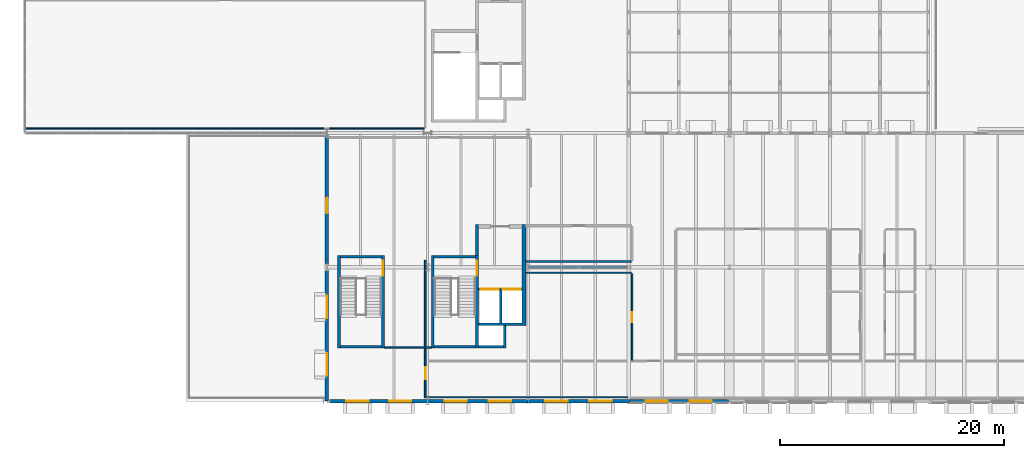
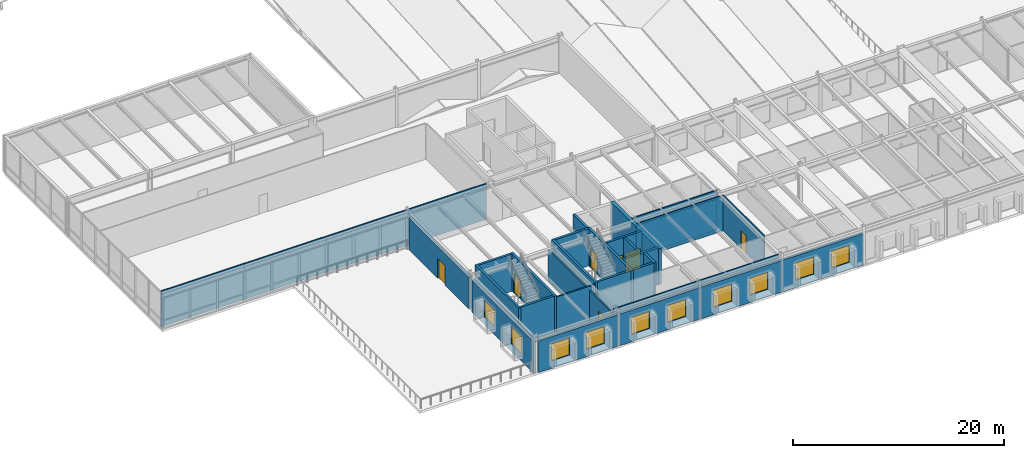
# One storey, part 130 of 142: 30 walls, 10 windows, 7 doors, 17 openings.
"""IFC4 building model written with IfcOpenShell, lengths in metres."""

from ifc_helpers import new_model, si_unit, direction, frame, frame_2d, origin, place, context, subcontext, project, spatial, rectangle, extrude, material, layer, layer_set, type_object, element, fill, save


model = new_model("IFC4")

# Units and contexts
model_context = context("Model", 3, precision=1e-05, world=origin(), true_north=direction((0.0, 1.0)))
body_context = subcontext(model_context, "Body", "Model", "MODEL_VIEW")
ifc_project = project(units=[si_unit("LENGTHUNIT", "METRE"), si_unit("AREAUNIT", "SQUARE_METRE"), si_unit("VOLUMEUNIT", "CUBIC_METRE"), si_unit("PLANEANGLEUNIT", "RADIAN"), si_unit("MASSUNIT", "GRAM", prefix="KILO")], contexts=[model_context])

# Site, building, storey
site_placement = place(None, origin())
site = spatial("IfcSite", under=ifc_project, at=site_placement, CompositionType="ELEMENT")
building_placement = place(site_placement, origin())
building = spatial("IfcBuilding", under=site, at=building_placement, Name="Montelvaro Courts of Justice", CompositionType="ELEMENT")
storey_placement = place(building_placement, frame((0.0, 0.0, 14.39990234375)))
storey = spatial("IfcBuildingStorey", under=building, at=storey_placement, Name="L03", CompositionType="ELEMENT", Elevation=14.39990234375)

# Wall
ifc_material_1 = material(Name="Gypsum board on metal stud")
ifc_layer_1 = layer(ifc_material_1, 0.14990234375)
ifc_layer_set_1 = layer_set([ifc_layer_1], Name="Gypsum board on metal stud")
wall_type_1 = type_object("IfcWallType", Name="ChambersPartition_150", PredefinedType="PARTITIONING", material=ifc_layer_set_1)
wall_1_placement = place(storey_placement, frame((50.113037109375, 4.800048828125, 0.0), z_axis=(0.0, 0.0, 1.0), x_axis=(1.0, 0.0, 0.0)))
element("IfcWall", 1, at=wall_1_placement, inside=storey, type_object=wall_type_1, Name="Interior Partition IW-04 (L03)", PredefinedType="PARTITIONING", context=body_context, shape_type="SweptSolid", body=[
    extrude(rectangle(XDim=4.251953125, YDim=0.14990234375, at=frame_2d((2.1259765625, 0.0))), origin(), (0.0, 0.0, 1.0), 4.14013671875),
])

# Wall, opening, door
wall_2_placement = place(storey_placement, frame((53.800048828125, 4.72998046875, 0.0), z_axis=(0.0, 0.0, 1.0), x_axis=(0.0, -1.0, 0.0)))
wall_2 = element("IfcWall", 2, at=wall_2_placement, inside=storey, type_object=wall_type_1, Name="Interior Partition IW-04 (L03)", PredefinedType="PARTITIONING", context=body_context, shape_type="SweptSolid", body=[
    extrude(rectangle(XDim=4.421875, YDim=0.14990234375, at=frame_2d((2.2109375, 0.0))), origin(), (0.0, 0.0, 1.0), 3.625),
])
opening_1_placement = place(wall_2_placement, frame((1.68603515625, 0.0, 0.0)))
opening_1 = element("IfcOpeningElement", 3, at=opening_1_placement, cuts=wall_2, Name="Opening D-L03-107", PredefinedType="OPENING", context=body_context, shape_type="SweptSolid", body=[
    extrude(rectangle(XDim=1.050048828125, YDim=2.25, at=frame_2d((0.52490234375, 1.125))), frame((0.0, 0.08984375, 0.0), z_axis=(0.0, -1.0, 0.0), x_axis=(1.0, 0.0, 0.0)), (0.0, 0.0, 1.0), 0.1796875),
])
ifc_material_2 = material(Name="Acoustic oak timber veneer", Category="wood")
door_type_1 = type_object("IfcDoorType", Name="ChamberDoor_105x225", OperationType="NOTDEFINED", PredefinedType="DOOR", material=ifc_material_2)
door_1_placement = place(opening_1_placement, frame((1.050048828125, 0.0, 0.0), z_axis=(0.0, 0.0, 1.0), x_axis=(-1.0, 0.0, 0.0)))
door_1 = element("IfcDoor", 4, at=door_1_placement, inside=storey, type_object=door_type_1, Name="Interior Door D-L03-107 (West Terrace Judicial Foyer L03)", OperationType="SINGLE_SWING_RIGHT", OverallHeight=2.25, OverallWidth=1.050048828125, PredefinedType="DOOR", context=body_context, shape_type="SweptSolid", body=[
    extrude(rectangle(XDim=1.050048828125, YDim=2.25, at=frame_2d((0.52490234375, 1.125))), frame((0.0, 0.02490234375, 0.0), z_axis=(0.0, -1.0, 0.0), x_axis=(1.0, 0.0, 0.0)), (0.0, 0.0, 1.0), 0.050048828125),
])
fill(opening_1, door_1)

# Walls
wall_3_placement = place(storey_placement, frame((53.800048828125, 12.6201171875, 0.0), z_axis=(0.0, 0.0, 1.0), x_axis=(0.0, -1.0, 0.0)))
element("IfcWall", 5, at=wall_3_placement, inside=storey, type_object=wall_type_1, Name="Interior Partition IW-04 (L03)", PredefinedType="PARTITIONING", context=body_context, shape_type="SweptSolid", body=[
    extrude(rectangle(XDim=7.75, YDim=0.14990234375, at=frame_2d((3.875, 0.0))), origin(), (0.0, 0.0, 1.0), 3.625),
])
wall_4_placement = place(storey_placement, frame((72.219970703125, 12.5, 0.0), z_axis=(0.0, 0.0, 1.0), x_axis=(-1.0, 0.0, 0.0)))
element("IfcWall", 6, at=wall_4_placement, inside=storey, type_object=wall_type_1, Name="Interior Partition IW-04 (L03)", PredefinedType="PARTITIONING", context=body_context, shape_type="SweptSolid", body=[
    extrude(rectangle(XDim=9.425048828125, YDim=0.14990234375, at=frame_2d((4.71240234375, 0.0))), origin(), (0.0, 0.0, 1.0), 4.14013671875),
])
ifc_material_3 = material(Name="Concrete C40/50", Category="concrete")
ifc_layer_2 = layer(ifc_material_3, 0.360107421875)
ifc_layer_set_2 = layer_set([ifc_layer_2], Name="Concrete C40/50")
wall_type_2 = type_object("IfcWallType", Name="CoreWall_360", PredefinedType="SHEAR", material=ifc_layer_set_2)
wall_5_placement = place(storey_placement, frame((62.6201171875, 6.760009765625, 0.0), z_axis=(0.0, 0.0, 1.0), x_axis=(0.0, 1.0, 0.0)))
element("IfcWall", 7, at=wall_5_placement, inside=storey, type_object=wall_type_2, Name="Core Shear Wall CW-01 K1-E (L03)", PredefinedType="SHEAR", context=body_context, shape_type="SweptSolid", body=[
    extrude(rectangle(XDim=9.0400390625, YDim=0.360107421875, at=frame_2d((4.52001953125, 0.0))), origin(), (0.0, 0.0, 1.0), 4.16015625),
])

# Wall, openings, windows
ifc_material_4 = material(Name="White mineral precast concrete C45/55", Category="concrete")
ifc_layer_3 = layer(ifc_material_4, 0.300048828125)
ifc_layer_set_3 = layer_set([ifc_layer_3], Name="White mineral precast concrete C45/55")
wall_type_3 = type_object("IfcWallType", Name="ExtWall_GFRC_300", PredefinedType="SOLIDWALL", material=ifc_layer_set_3)
wall_6_placement = place(storey_placement, frame((45.30810546875, 0.0, 0.0), z_axis=(0.0, 0.0, 1.0), x_axis=(1.0, 0.0, 0.0)))
wall_6 = element("IfcWall", 8, at=wall_6_placement, inside=storey, type_object=wall_type_3, Name="Exterior Facade Wall EW-02 (L03)", PredefinedType="SOLIDWALL", context=body_context, shape_type="SweptSolid", body=[
    extrude(rectangle(XDim=8.683837890625, YDim=0.300048828125, at=frame_2d((4.341796875, 0.0))), origin(), (0.0, 0.0, 1.0), 3.675048828125),
])
opening_2_placement = place(wall_6_placement, frame((1.431884765625, 0.0, 0.85009765625)))
opening_2 = element("IfcOpeningElement", 9, at=opening_2_placement, cuts=wall_6, Name="Opening WE-11", PredefinedType="OPENING", context=body_context, shape_type="SweptSolid", body=[
    extrude(rectangle(XDim=2.0, YDim=2.0, at=frame_2d((1.0, 1.0))), frame((0.0, 0.1650390625, 0.0), z_axis=(0.0, -1.0, 0.0), x_axis=(1.0, 0.0, 0.0)), (0.0, 0.0, 1.0), 0.329833984375),
])
opening_3_placement = place(wall_6_placement, frame((5.251953125, 0.0, 0.85009765625)))
opening_3 = element("IfcOpeningElement", 10, at=opening_3_placement, cuts=wall_6, Name="Opening WE-11", PredefinedType="OPENING", context=body_context, shape_type="SweptSolid", body=[
    extrude(rectangle(XDim=2.0, YDim=2.0, at=frame_2d((1.0, 1.0))), frame((0.0, 0.1650390625, 0.0), z_axis=(0.0, -1.0, 0.0), x_axis=(1.0, 0.0, 0.0)), (0.0, 0.0, 1.0), 0.329833984375),
])
ifc_material_5 = material(Name="Low-E solar control double glazing", Category="glass")
window_type = type_object("IfcWindowType", Name="Win_Sq_200x200", PartitioningType="SINGLE_PANEL", PredefinedType="WINDOW", material=ifc_material_5)
window_1_placement = place(opening_2_placement, origin())
window_1 = element("IfcWindow", 11, at=window_1_placement, inside=storey, type_object=window_type, Name="Window W-L03-149", OverallHeight=2.0, OverallWidth=2.0, PartitioningType="SINGLE_PANEL", PredefinedType="WINDOW", context=body_context, shape_type="SweptSolid", body=[
    extrude(rectangle(XDim=2.0, YDim=2.0, at=frame_2d((1.0, 1.0))), frame((0.0, 0.030029296875, 0.0), z_axis=(0.0, -1.0, 0.0), x_axis=(1.0, 0.0, 0.0)), (0.0, 0.0, 1.0), 0.06005859375),
])
fill(opening_2, window_1)
window_2_placement = place(opening_3_placement, origin())
window_2 = element("IfcWindow", 12, at=window_2_placement, inside=storey, type_object=window_type, Name="Window W-L03-150", OverallHeight=2.0, OverallWidth=2.0, PartitioningType="SINGLE_PANEL", PredefinedType="WINDOW", context=body_context, shape_type="SweptSolid", body=[
    extrude(rectangle(XDim=2.0, YDim=2.0, at=frame_2d((1.0, 1.0))), frame((0.0, 0.030029296875, 0.0), z_axis=(0.0, -1.0, 0.0), x_axis=(1.0, 0.0, 0.0)), (0.0, 0.0, 1.0), 0.06005859375),
])
fill(opening_3, window_2)

wall_7_placement = place(storey_placement, frame((54.008056640625, 0.0, 0.0), z_axis=(0.0, 0.0, 1.0), x_axis=(1.0, 0.0, 0.0)))
wall_7 = element("IfcWall", 13, at=wall_7_placement, inside=storey, type_object=wall_type_3, Name="Exterior Facade Wall EW-02 (L03)", PredefinedType="SOLIDWALL", context=body_context, shape_type="SweptSolid", body=[
    extrude(rectangle(XDim=8.98388671875, YDim=0.300048828125, at=frame_2d((4.491943359375, 0.0))), origin(), (0.0, 0.0, 1.0), 3.675048828125),
])
opening_4_placement = place(wall_7_placement, frame((1.51611328125, 0.0, 0.85009765625)))
opening_4 = element("IfcOpeningElement", 14, at=opening_4_placement, cuts=wall_7, Name="Opening WE-11", PredefinedType="OPENING", context=body_context, shape_type="SweptSolid", body=[
    extrude(rectangle(XDim=2.0, YDim=2.0, at=frame_2d((1.0, 1.0))), frame((0.0, 0.1650390625, 0.0), z_axis=(0.0, -1.0, 0.0), x_axis=(1.0, 0.0, 0.0)), (0.0, 0.0, 1.0), 0.329833984375),
])
opening_5_placement = place(wall_7_placement, frame((5.468017578125, 0.0, 0.85009765625)))
opening_5 = element("IfcOpeningElement", 15, at=opening_5_placement, cuts=wall_7, Name="Opening WE-11", PredefinedType="OPENING", context=body_context, shape_type="SweptSolid", body=[
    extrude(rectangle(XDim=2.0, YDim=2.0, at=frame_2d((1.0, 1.0))), frame((0.0, 0.1650390625, 0.0), z_axis=(0.0, -1.0, 0.0), x_axis=(1.0, 0.0, 0.0)), (0.0, 0.0, 1.0), 0.329833984375),
])
window_3_placement = place(opening_4_placement, origin())
window_3 = element("IfcWindow", 16, at=window_3_placement, inside=storey, type_object=window_type, Name="Window W-L03-151", OverallHeight=2.0, OverallWidth=2.0, PartitioningType="SINGLE_PANEL", PredefinedType="WINDOW", context=body_context, shape_type="SweptSolid", body=[
    extrude(rectangle(XDim=2.0, YDim=2.0, at=frame_2d((1.0, 1.0))), frame((0.0, 0.030029296875, 0.0), z_axis=(0.0, -1.0, 0.0), x_axis=(1.0, 0.0, 0.0)), (0.0, 0.0, 1.0), 0.06005859375),
])
fill(opening_4, window_3)
window_4_placement = place(opening_5_placement, origin())
window_4 = element("IfcWindow", 17, at=window_4_placement, inside=storey, type_object=window_type, Name="Window W-L03-152", OverallHeight=2.0, OverallWidth=2.0, PartitioningType="SINGLE_PANEL", PredefinedType="WINDOW", context=body_context, shape_type="SweptSolid", body=[
    extrude(rectangle(XDim=2.0, YDim=2.0, at=frame_2d((1.0, 1.0))), frame((0.0, 0.030029296875, 0.0), z_axis=(0.0, -1.0, 0.0), x_axis=(1.0, 0.0, 0.0)), (0.0, 0.0, 1.0), 0.06005859375),
])
fill(opening_5, window_4)

wall_8_placement = place(storey_placement, frame((63.008056640625, 0.0, 0.0), z_axis=(0.0, 0.0, 1.0), x_axis=(1.0, 0.0, 0.0)))
wall_8 = element("IfcWall", 18, at=wall_8_placement, inside=storey, type_object=wall_type_3, Name="Exterior Facade Wall EW-02 (L03)", PredefinedType="SOLIDWALL", context=body_context, shape_type="SweptSolid", body=[
    extrude(rectangle(XDim=8.98388671875, YDim=0.300048828125, at=frame_2d((4.491943359375, 0.0))), origin(), (0.0, 0.0, 1.0), 3.675048828125),
])
opening_6_placement = place(wall_8_placement, frame((1.51611328125, 0.0, 0.85009765625)))
opening_6 = element("IfcOpeningElement", 19, at=opening_6_placement, cuts=wall_8, Name="Opening WE-11", PredefinedType="OPENING", context=body_context, shape_type="SweptSolid", body=[
    extrude(rectangle(XDim=2.0, YDim=2.0, at=frame_2d((1.0, 1.0))), frame((0.0, 0.1650390625, 0.0), z_axis=(0.0, -1.0, 0.0), x_axis=(1.0, 0.0, 0.0)), (0.0, 0.0, 1.0), 0.329833984375),
])
opening_7_placement = place(wall_8_placement, frame((5.468017578125, 0.0, 0.85009765625)))
opening_7 = element("IfcOpeningElement", 20, at=opening_7_placement, cuts=wall_8, Name="Opening WE-11", PredefinedType="OPENING", context=body_context, shape_type="SweptSolid", body=[
    extrude(rectangle(XDim=2.0, YDim=2.0, at=frame_2d((1.0, 1.0))), frame((0.0, 0.1650390625, 0.0), z_axis=(0.0, -1.0, 0.0), x_axis=(1.0, 0.0, 0.0)), (0.0, 0.0, 1.0), 0.329833984375),
])
window_5_placement = place(opening_6_placement, origin())
window_5 = element("IfcWindow", 21, at=window_5_placement, inside=storey, type_object=window_type, Name="Window W-L03-153", OverallHeight=2.0, OverallWidth=2.0, PartitioningType="SINGLE_PANEL", PredefinedType="WINDOW", context=body_context, shape_type="SweptSolid", body=[
    extrude(rectangle(XDim=2.0, YDim=2.0, at=frame_2d((1.0, 1.0))), frame((0.0, 0.030029296875, 0.0), z_axis=(0.0, -1.0, 0.0), x_axis=(1.0, 0.0, 0.0)), (0.0, 0.0, 1.0), 0.06005859375),
])
fill(opening_6, window_5)
window_6_placement = place(opening_7_placement, origin())
window_6 = element("IfcWindow", 22, at=window_6_placement, inside=storey, type_object=window_type, Name="Window W-L03-154", OverallHeight=2.0, OverallWidth=2.0, PartitioningType="SINGLE_PANEL", PredefinedType="WINDOW", context=body_context, shape_type="SweptSolid", body=[
    extrude(rectangle(XDim=2.0, YDim=2.0, at=frame_2d((1.0, 1.0))), frame((0.0, 0.030029296875, 0.0), z_axis=(0.0, -1.0, 0.0), x_axis=(1.0, 0.0, 0.0)), (0.0, 0.0, 1.0), 0.06005859375),
])
fill(opening_7, window_6)

wall_9_placement = place(storey_placement, frame((72.008056640625, 0.0, 0.0), z_axis=(0.0, 0.0, 1.0), x_axis=(1.0, 0.0, 0.0)))
wall_9 = element("IfcWall", 23, at=wall_9_placement, inside=storey, type_object=wall_type_3, Name="Exterior Facade Wall EW-02 (L03)", PredefinedType="SOLIDWALL", context=body_context, shape_type="SweptSolid", body=[
    extrude(rectangle(XDim=8.933837890625, YDim=0.300048828125, at=frame_2d((4.466796875, 0.0))), origin(), (0.0, 0.0, 1.0), 3.675048828125),
])
opening_8_placement = place(wall_9_placement, frame((1.501953125, 0.0, 0.85009765625)))
opening_8 = element("IfcOpeningElement", 24, at=opening_8_placement, cuts=wall_9, Name="Opening WE-11", PredefinedType="OPENING", context=body_context, shape_type="SweptSolid", body=[
    extrude(rectangle(XDim=2.0, YDim=2.0, at=frame_2d((1.0, 1.0))), frame((0.0, 0.1650390625, 0.0), z_axis=(0.0, -1.0, 0.0), x_axis=(1.0, 0.0, 0.0)), (0.0, 0.0, 1.0), 0.329833984375),
])
opening_9_placement = place(wall_9_placement, frame((5.431884765625, 0.0, 0.85009765625)))
opening_9 = element("IfcOpeningElement", 25, at=opening_9_placement, cuts=wall_9, Name="Opening WE-11", PredefinedType="OPENING", context=body_context, shape_type="SweptSolid", body=[
    extrude(rectangle(XDim=2.0, YDim=2.0, at=frame_2d((1.0, 1.0))), frame((0.0, 0.1650390625, 0.0), z_axis=(0.0, -1.0, 0.0), x_axis=(1.0, 0.0, 0.0)), (0.0, 0.0, 1.0), 0.329833984375),
])
window_7_placement = place(opening_8_placement, origin())
window_7 = element("IfcWindow", 26, at=window_7_placement, inside=storey, type_object=window_type, Name="Window W-L03-155", OverallHeight=2.0, OverallWidth=2.0, PartitioningType="SINGLE_PANEL", PredefinedType="WINDOW", context=body_context, shape_type="SweptSolid", body=[
    extrude(rectangle(XDim=2.0, YDim=2.0, at=frame_2d((1.0, 1.0))), frame((0.0, 0.030029296875, 0.0), z_axis=(0.0, -1.0, 0.0), x_axis=(1.0, 0.0, 0.0)), (0.0, 0.0, 1.0), 0.06005859375),
])
fill(opening_8, window_7)
window_8_placement = place(opening_9_placement, origin())
window_8 = element("IfcWindow", 27, at=window_8_placement, inside=storey, type_object=window_type, Name="Window W-L03-156", OverallHeight=2.0, OverallWidth=2.0, PartitioningType="SINGLE_PANEL", PredefinedType="WINDOW", context=body_context, shape_type="SweptSolid", body=[
    extrude(rectangle(XDim=2.0, YDim=2.0, at=frame_2d((1.0, 1.0))), frame((0.0, 0.030029296875, 0.0), z_axis=(0.0, -1.0, 0.0), x_axis=(1.0, 0.0, 0.0)), (0.0, 0.0, 1.0), 0.06005859375),
])
fill(opening_9, window_8)

# Wall, opening, door
wall_10_placement = place(storey_placement, frame((45.0, 23.64404296875, 0.0), z_axis=(0.0, 0.0, 1.0), x_axis=(0.0, -1.0, 0.0)))
wall_10 = element("IfcWall", 28, at=wall_10_placement, inside=storey, type_object=wall_type_3, Name="Exterior Facade Wall EW-02 (L03)", PredefinedType="SOLIDWALL", context=body_context, shape_type="SweptSolid", body=[
    extrude(rectangle(XDim=11.3359375, YDim=0.300048828125, at=frame_2d((5.66796875, 0.0))), origin(), (0.0, 0.0, 1.0), 3.68505859375),
])
opening_10_placement = place(wall_10_placement, frame((5.444091796875, 0.0, 0.0)))
opening_10 = element("IfcOpeningElement", 29, at=opening_10_placement, cuts=wall_10, Name="Opening DT-L03-01", PredefinedType="OPENING", context=body_context, shape_type="SweptSolid", body=[
    extrude(rectangle(XDim=1.39990234375, YDim=2.300048828125, at=frame_2d((0.699951171875, 1.14990234375))), frame((0.0, 0.1650390625, 0.0), z_axis=(0.0, -1.0, 0.0), x_axis=(1.0, 0.0, 0.0)), (0.0, 0.0, 1.0), 0.329833984375),
])
ifc_material_6 = material(Name="Anodised aluminium and laminated safety glass", Category="aluminium")
door_type_2 = type_object("IfcDoorType", Name="ExtDoor_Ter_140x230", OperationType="DOUBLE_DOOR_SINGLE_SWING", PredefinedType="DOOR", material=ifc_material_6)
door_2_placement = place(opening_10_placement, frame((1.39990234375, 0.0, 0.0), z_axis=(0.0, 0.0, 1.0), x_axis=(-1.0, 0.0, 0.0)))
door_2 = element("IfcDoor", 30, at=door_2_placement, inside=storey, type_object=door_type_2, Name="Terrace Access Door DT-L03-01", OperationType="DOUBLE_DOOR_SINGLE_SWING", OverallHeight=2.300048828125, OverallWidth=1.39990234375, PredefinedType="DOOR", context=body_context, shape_type="SweptSolid", body=[
    extrude(rectangle(XDim=1.39990234375, YDim=2.300048828125, at=frame_2d((0.699951171875, 1.14990234375))), frame((0.0, 0.02490234375, 0.0), z_axis=(0.0, -1.0, 0.0), x_axis=(1.0, 0.0, 0.0)), (0.0, 0.0, 1.0), 0.050048828125),
])
fill(opening_10, door_2)

# Wall, openings, windows
wall_11_placement = place(storey_placement, frame((45.0, 11.69189453125, 0.0), z_axis=(0.0, 0.0, 1.0), x_axis=(0.0, -1.0, 0.0)))
wall_11 = element("IfcWall", 31, at=wall_11_placement, inside=storey, type_object=wall_type_3, Name="Exterior Facade Wall EW-02 (L03)", PredefinedType="SOLIDWALL", context=body_context, shape_type="SweptSolid", body=[
    extrude(rectangle(XDim=11.683837890625, YDim=0.300048828125, at=frame_2d((5.841796875, 0.0))), origin(), (0.0, 0.0, 1.0), 3.68505859375),
])
opening_11_placement = place(wall_11_placement, frame((2.27197265625, 0.0, 0.85009765625)))
opening_11 = element("IfcOpeningElement", 32, at=opening_11_placement, cuts=wall_11, Name="Opening WE-11", PredefinedType="OPENING", context=body_context, shape_type="SweptSolid", body=[
    extrude(rectangle(XDim=2.0, YDim=2.0, at=frame_2d((1.0, 1.0))), frame((0.0, 0.1650390625, 0.0), z_axis=(0.0, -1.0, 0.0), x_axis=(1.0, 0.0, 0.0)), (0.0, 0.0, 1.0), 0.329833984375),
])
opening_12_placement = place(wall_11_placement, frame((7.412109375, 0.0, 0.85009765625)))
opening_12 = element("IfcOpeningElement", 33, at=opening_12_placement, cuts=wall_11, Name="Opening WE-11", PredefinedType="OPENING", context=body_context, shape_type="SweptSolid", body=[
    extrude(rectangle(XDim=2.0, YDim=2.0, at=frame_2d((1.0, 1.0))), frame((0.0, 0.1650390625, 0.0), z_axis=(0.0, -1.0, 0.0), x_axis=(1.0, 0.0, 0.0)), (0.0, 0.0, 1.0), 0.329833984375),
])
window_9_placement = place(opening_11_placement, origin())
window_9 = element("IfcWindow", 34, at=window_9_placement, inside=storey, type_object=window_type, Name="Window W-L03-159", OverallHeight=2.0, OverallWidth=2.0, PartitioningType="SINGLE_PANEL", PredefinedType="WINDOW", context=body_context, shape_type="SweptSolid", body=[
    extrude(rectangle(XDim=2.0, YDim=2.0, at=frame_2d((1.0, 1.0))), frame((0.0, 0.030029296875, 0.0), z_axis=(0.0, -1.0, 0.0), x_axis=(1.0, 0.0, 0.0)), (0.0, 0.0, 1.0), 0.06005859375),
])
fill(opening_11, window_9)
window_10_placement = place(opening_12_placement, origin())
window_10 = element("IfcWindow", 35, at=window_10_placement, inside=storey, type_object=window_type, Name="Window W-L03-160", OverallHeight=2.0, OverallWidth=2.0, PartitioningType="SINGLE_PANEL", PredefinedType="WINDOW", context=body_context, shape_type="SweptSolid", body=[
    extrude(rectangle(XDim=2.0, YDim=2.0, at=frame_2d((1.0, 1.0))), frame((0.0, 0.030029296875, 0.0), z_axis=(0.0, -1.0, 0.0), x_axis=(1.0, 0.0, 0.0)), (0.0, 0.0, 1.0), 0.06005859375),
])
fill(opening_12, window_10)

# Walls
ifc_layer_4 = layer(ifc_material_1, 0.1201171875)
ifc_layer_set_4 = layer_set([ifc_layer_4], Name="Gypsum board on metal stud")
wall_type_4 = type_object("IfcWallType", Name="OfficePartition_120", PredefinedType="PARTITIONING", material=ifc_layer_set_4)
wall_12_placement = place(storey_placement, frame((71.919921875, 0.360107421875, 0.0), z_axis=(0.0, 0.0, 1.0), x_axis=(-1.0, 0.0, 0.0)))
element("IfcWall", 36, at=wall_12_placement, inside=storey, type_object=wall_type_4, Name="Interior Partition IW-05 (L03)", PredefinedType="PARTITIONING", context=body_context, shape_type="SweptSolid", body=[
    extrude(rectangle(XDim=18.11181640625, YDim=0.1201171875, at=frame_2d((9.055908203125, 0.0))), origin(), (0.0, 0.0, 1.0), 4.14013671875),
])
wall_13_placement = place(storey_placement, frame((53.719970703125, 24.39990234375, 0.0), z_axis=(0.0, 0.0, 1.0), x_axis=(-1.0, 0.0, 0.0)))
element("IfcWall", 37, at=wall_13_placement, inside=storey, type_object=wall_type_4, Name="Interior Partition IW-05 (L03)", PredefinedType="PARTITIONING", context=body_context, shape_type="SweptSolid", body=[
    extrude(rectangle(XDim=35.64501953125, YDim=0.1201171875, at=frame_2d((17.822509765625, 0.0))), origin(), (0.0, 0.0, 1.0), 4.14013671875),
])
wall_14_placement = place(storey_placement, frame((62.794921875, 11.5, 0.0), z_axis=(0.0, 0.0, 1.0), x_axis=(1.0, 0.0, 0.0)))
element("IfcWall", 38, at=wall_14_placement, inside=storey, type_object=wall_type_4, Name="Interior Partition IW-05 (L03)", PredefinedType="PARTITIONING", context=body_context, shape_type="SweptSolid", body=[
    extrude(rectangle(XDim=9.425048828125, YDim=0.1201171875, at=frame_2d((4.71240234375, 0.0))), origin(), (0.0, 0.0, 1.0), 4.14013671875),
])

# Wall, opening, door
wall_15_placement = place(storey_placement, frame((72.300048828125, 11.419921875, 0.0), z_axis=(0.0, 0.0, 1.0), x_axis=(0.0, -1.0, 0.0)))
wall_15 = element("IfcWall", 39, at=wall_15_placement, inside=storey, type_object=wall_type_4, Name="Interior Partition IW-05 (L03)", PredefinedType="PARTITIONING", context=body_context, shape_type="SweptSolid", body=[
    extrude(rectangle(XDim=7.764892578125, YDim=0.1201171875, at=frame_2d((3.88232421875, 0.0))), origin(), (0.0, 0.0, 1.0), 4.14013671875),
])
opening_13_placement = place(wall_15_placement, frame((3.43310546875, 0.0, 0.0)))
opening_13 = element("IfcOpeningElement", 40, at=opening_13_placement, cuts=wall_15, Name="Opening D-L03-116", PredefinedType="OPENING", context=body_context, shape_type="SweptSolid", body=[
    extrude(rectangle(XDim=0.89990234375, YDim=2.10009765625, at=frame_2d((0.449951171875, 1.050048828125))), frame((0.0, 0.074951171875, 0.0), z_axis=(0.0, -1.0, 0.0), x_axis=(1.0, 0.0, 0.0)), (0.0, 0.0, 1.0), 0.14990234375),
])
door_type_3 = type_object("IfcDoorType", Name="OfficeDoor_090x210", OperationType="NOTDEFINED", PredefinedType="DOOR", material=ifc_material_2)
door_3_placement = place(opening_13_placement, origin())
door_3 = element("IfcDoor", 41, at=door_3_placement, inside=storey, type_object=door_type_3, Name="Interior Door D-L03-116 (Family Magistrates' Chambers L03)", OperationType="SINGLE_SWING_RIGHT", OverallHeight=2.10009765625, OverallWidth=0.89990234375, PredefinedType="DOOR", context=body_context, shape_type="SweptSolid", body=[
    extrude(rectangle(XDim=0.89990234375, YDim=2.10009765625, at=frame_2d((0.449951171875, 1.050048828125))), frame((0.0, 0.02490234375, 0.0), z_axis=(0.0, -1.0, 0.0), x_axis=(1.0, 0.0, 0.0)), (0.0, 0.0, 1.0), 0.050048828125),
])
fill(opening_13, door_3)

# Wall
ifc_material_7 = material(Name="Concrete C35/45", Category="concrete")
ifc_layer_5 = layer(ifc_material_7, 0.239990234375)
ifc_layer_set_5 = layer_set([ifc_layer_5], Name="Concrete C35/45")
wall_type_5 = type_object("IfcWallType", Name="ShaftWall_240", PredefinedType="SHEAR", material=ifc_layer_set_5)
wall_16_placement = place(storey_placement, frame((54.47998046875, 4.760009765625, 0.0), z_axis=(0.0, 0.0, 1.0), x_axis=(0.0, 1.0, 0.0)))
element("IfcWall", 42, at=wall_16_placement, inside=storey, type_object=wall_type_5, Name="Protected Stair Structural Wall ST-K1-W (L03)", PredefinedType="SHEAR", context=body_context, shape_type="SweptSolid", body=[
    extrude(rectangle(XDim=8.280029296875, YDim=0.239990234375, at=frame_2d((4.14013671875, 0.0))), origin(), (0.0, 0.0, 1.0), 4.31005859375),
])

# Wall, opening, door
wall_17_placement = place(storey_placement, frame((58.419921875, 4.760009765625, 0.0), z_axis=(0.0, 0.0, 1.0), x_axis=(0.0, 1.0, 0.0)))
wall_17 = element("IfcWall", 43, at=wall_17_placement, inside=storey, type_object=wall_type_5, Name="Protected Stair Structural Wall ST-K1-E (L03)", PredefinedType="SHEAR", context=body_context, shape_type="SweptSolid", body=[
    extrude(rectangle(XDim=8.280029296875, YDim=0.239990234375, at=frame_2d((4.14013671875, 0.0))), origin(), (0.0, 0.0, 1.0), 4.31005859375),
])
opening_14_placement = place(wall_17_placement, frame((6.489990234375, 0.0, 0.0)))
opening_14 = element("IfcOpeningElement", 44, at=opening_14_placement, cuts=wall_17, Name="Opening DS-L03-K1", PredefinedType="OPENING", context=body_context, shape_type="SweptSolid", body=[
    extrude(rectangle(XDim=1.300048828125, YDim=2.199951171875, at=frame_2d((0.64990234375, 1.10009765625))), frame((0.0, 0.134765625, 0.0), z_axis=(0.0, -1.0, 0.0), x_axis=(1.0, 0.0, 0.0)), (0.0, 0.0, 1.0), 0.269775390625),
])
ifc_material_8 = material(Name="Galvanised steel S355 security door", Category="steel")
door_type_4 = type_object("IfcDoorType", Name="StairFireDoor_130x220", OperationType="NOTDEFINED", PredefinedType="DOOR", material=ifc_material_8)
door_4_placement = place(opening_14_placement, frame((1.300048828125, 0.0, 0.0), z_axis=(0.0, 0.0, 1.0), x_axis=(-1.0, 0.0, 0.0)))
door_4 = element("IfcDoor", 45, at=door_4_placement, inside=storey, type_object=door_type_4, Name="Protected Stair Fire Door DS-L03-K1", OperationType="SINGLE_SWING_LEFT", OverallHeight=2.199951171875, OverallWidth=1.300048828125, PredefinedType="DOOR", context=body_context, shape_type="SweptSolid", body=[
    extrude(rectangle(XDim=1.300048828125, YDim=2.199951171875, at=frame_2d((0.64990234375, 1.10009765625))), frame((0.0, 0.02490234375, 0.0), z_axis=(0.0, -1.0, 0.0), x_axis=(1.0, 0.0, 0.0)), (0.0, 0.0, 1.0), 0.050048828125),
])
fill(opening_14, door_4)

# Walls
for number, where, z_axis, x_axis, name in (
    (46, (54.60009765625, 4.8798828125, 0.0), (0.0, 0.0, 1.0), (1.0, 0.0, 0.0), "Protected Stair Structural Wall ST-K1-S (L03)"),
    (47, (54.60009765625, 12.919921875, 0.0), (0.0, 0.0, 1.0), (1.0, 0.0, 0.0), "Protected Stair Structural Wall ST-K1-N (L03)"),
):
    element("IfcWall", number, at=place(storey_placement, frame(where, z_axis=z_axis, x_axis=x_axis)), inside=storey, type_object=wall_type_5, Name=name, PredefinedType="SHEAR", context=body_context, shape_type="SweptSolid", body=[
        extrude(rectangle(XDim=3.699951171875, YDim=0.239990234375, at=frame_2d((1.85009765625, 0.0))), origin(), (0.0, 0.0, 1.0), 4.31005859375),
    ])
wall_18_placement = place(storey_placement, frame((46.080078125, 4.760009765625, 0.0), z_axis=(0.0, 0.0, 1.0), x_axis=(0.0, 1.0, 0.0)))
element("IfcWall", 48, at=wall_18_placement, inside=storey, type_object=wall_type_5, Name="Protected Stair Structural Wall ST-E1-W (L03)", PredefinedType="SHEAR", context=body_context, shape_type="SweptSolid", body=[
    extrude(rectangle(XDim=8.280029296875, YDim=0.239990234375, at=frame_2d((4.14013671875, 0.0))), origin(), (0.0, 0.0, 1.0), 4.31005859375),
])

# Wall, opening, door
wall_19_placement = place(storey_placement, frame((50.02001953125, 4.760009765625, 0.0), z_axis=(0.0, 0.0, 1.0), x_axis=(0.0, 1.0, 0.0)))
wall_19 = element("IfcWall", 49, at=wall_19_placement, inside=storey, type_object=wall_type_5, Name="Protected Stair Structural Wall ST-E1-E (L03)", PredefinedType="SHEAR", context=body_context, shape_type="SweptSolid", body=[
    extrude(rectangle(XDim=8.280029296875, YDim=0.239990234375, at=frame_2d((4.14013671875, 0.0))), origin(), (0.0, 0.0, 1.0), 4.31005859375),
])
opening_15_placement = place(wall_19_placement, frame((6.489990234375, 0.0, 0.0)))
opening_15 = element("IfcOpeningElement", 50, at=opening_15_placement, cuts=wall_19, Name="Opening DS-L03-SE1", PredefinedType="OPENING", context=body_context, shape_type="SweptSolid", body=[
    extrude(rectangle(XDim=1.300048828125, YDim=2.199951171875, at=frame_2d((0.64990234375, 1.10009765625))), frame((0.0, 0.134765625, 0.0), z_axis=(0.0, -1.0, 0.0), x_axis=(1.0, 0.0, 0.0)), (0.0, 0.0, 1.0), 0.269775390625),
])
door_5_placement = place(opening_15_placement, frame((1.300048828125, 0.0, 0.0), z_axis=(0.0, 0.0, 1.0), x_axis=(-1.0, 0.0, 0.0)))
door_5 = element("IfcDoor", 51, at=door_5_placement, inside=storey, type_object=door_type_4, Name="Protected Stair Fire Door DS-L03-SE1", OperationType="SINGLE_SWING_LEFT", OverallHeight=2.199951171875, OverallWidth=1.300048828125, PredefinedType="DOOR", context=body_context, shape_type="SweptSolid", body=[
    extrude(rectangle(XDim=1.300048828125, YDim=2.199951171875, at=frame_2d((0.64990234375, 1.10009765625))), frame((0.0, 0.02490234375, 0.0), z_axis=(0.0, -1.0, 0.0), x_axis=(1.0, 0.0, 0.0)), (0.0, 0.0, 1.0), 0.050048828125),
])
fill(opening_15, door_5)

# Walls
for number, where, z_axis, x_axis, name in (
    (52, (46.199951171875, 4.8798828125, 0.0), (0.0, 0.0, 1.0), (1.0, 0.0, 0.0), "Protected Stair Structural Wall ST-E1-S (L03)"),
    (53, (46.199951171875, 12.919921875, 0.0), (0.0, 0.0, 1.0), (1.0, 0.0, 0.0), "Protected Stair Structural Wall ST-E1-N (L03)"),
):
    element("IfcWall", number, at=place(storey_placement, frame(where, z_axis=z_axis, x_axis=x_axis)), inside=storey, type_object=wall_type_5, Name=name, PredefinedType="SHEAR", context=body_context, shape_type="SweptSolid", body=[
        extrude(rectangle(XDim=3.699951171875, YDim=0.239990234375, at=frame_2d((1.85009765625, 0.0))), origin(), (0.0, 0.0, 1.0), 4.31005859375),
    ])
wall_20_placement = place(storey_placement, frame((58.419921875, 13.0400390625, 0.0), z_axis=(0.0, 0.0, 1.0), x_axis=(0.0, 1.0, 0.0)))
element("IfcWall", 54, at=wall_20_placement, inside=storey, type_object=wall_type_5, Name="Core Lobby Structural Wall K1-W (L03)", PredefinedType="SHEAR", context=body_context, shape_type="SweptSolid", body=[
    extrude(rectangle(XDim=2.760009765625, YDim=0.239990234375, at=frame_2d((1.3798828125, 0.0))), origin(), (0.0, 0.0, 1.0), 4.16015625),
])

# Wall, openings, doors
wall_21_placement = place(storey_placement, frame((58.5400390625, 10.02001953125, 0.0), z_axis=(0.0, 0.0, 1.0), x_axis=(1.0, 0.0, 0.0)))
wall_21 = element("IfcWall", 55, at=wall_21_placement, inside=storey, type_object=wall_type_5, Name="Lift Shaft Bank Wall K1 (L03)", PredefinedType="SHEAR", context=body_context, shape_type="SweptSolid", body=[
    extrude(rectangle(XDim=3.89990234375, YDim=0.239990234375, at=frame_2d((1.949951171875, 0.0))), origin(), (0.0, 0.0, 1.0), 4.31005859375),
])
opening_16_placement = place(wall_21_placement, frame((0.235107421875, 0.0, 0.0)))
opening_16 = element("IfcOpeningElement", 56, at=opening_16_placement, cuts=wall_21, Name="Opening LD-LF-01-L03", PredefinedType="OPENING", context=body_context, shape_type="SweptSolid", body=[
    extrude(rectangle(XDim=1.60009765625, YDim=2.300048828125, at=frame_2d((0.800048828125, 1.14990234375))), frame((0.0, 0.134765625, 0.0), z_axis=(0.0, -1.0, 0.0), x_axis=(1.0, 0.0, 0.0)), (0.0, 0.0, 1.0), 0.269775390625),
])
opening_17_placement = place(wall_21_placement, frame((2.18505859375, 0.0, 0.0)))
opening_17 = element("IfcOpeningElement", 57, at=opening_17_placement, cuts=wall_21, Name="Opening LD-LJ-01-L03", PredefinedType="OPENING", context=body_context, shape_type="SweptSolid", body=[
    extrude(rectangle(XDim=1.60009765625, YDim=2.300048828125, at=frame_2d((0.800048828125, 1.14990234375))), frame((0.0, 0.134765625, 0.0), z_axis=(0.0, -1.0, 0.0), x_axis=(1.0, 0.0, 0.0)), (0.0, 0.0, 1.0), 0.269775390625),
])
door_type_5 = type_object("IfcDoorType", Name="LiftDoor_160x230", OperationType="DOUBLE_DOOR_SLIDING", PredefinedType="DOOR", material=ifc_material_8)
door_6_placement = place(opening_16_placement, origin())
door_6 = element("IfcDoor", 58, at=door_6_placement, inside=storey, type_object=door_type_5, Name="Lift Landing Sliding Door LD-LF-01-L03", OperationType="DOUBLE_DOOR_SLIDING", OverallHeight=2.300048828125, OverallWidth=1.60009765625, PredefinedType="DOOR", context=body_context, shape_type="SweptSolid", body=[
    extrude(rectangle(XDim=1.60009765625, YDim=2.300048828125, at=frame_2d((0.800048828125, 1.14990234375))), frame((0.0, 0.02490234375, 0.0), z_axis=(0.0, -1.0, 0.0), x_axis=(1.0, 0.0, 0.0)), (0.0, 0.0, 1.0), 0.050048828125),
])
fill(opening_16, door_6)
door_7_placement = place(opening_17_placement, origin())
door_7 = element("IfcDoor", 59, at=door_7_placement, inside=storey, type_object=door_type_5, Name="Lift Landing Sliding Door LD-LJ-01-L03", OperationType="DOUBLE_DOOR_SLIDING", OverallHeight=2.300048828125, OverallWidth=1.60009765625, PredefinedType="DOOR", context=body_context, shape_type="SweptSolid", body=[
    extrude(rectangle(XDim=1.60009765625, YDim=2.300048828125, at=frame_2d((0.800048828125, 1.14990234375))), frame((0.0, 0.02490234375, 0.0), z_axis=(0.0, -1.0, 0.0), x_axis=(1.0, 0.0, 0.0)), (0.0, 0.0, 1.0), 0.050048828125),
])
fill(opening_17, door_7)

# Walls
wall_22_placement = place(storey_placement, frame((58.5400390625, 6.8798828125, 0.0), z_axis=(0.0, 0.0, 1.0), x_axis=(1.0, 0.0, 0.0)))
element("IfcWall", 60, at=wall_22_placement, inside=storey, type_object=wall_type_5, Name="Lift Shaft Back Wall K1 (L03)", PredefinedType="SHEAR", context=body_context, shape_type="SweptSolid", body=[
    extrude(rectangle(XDim=3.89990234375, YDim=0.239990234375, at=frame_2d((1.949951171875, 0.0))), origin(), (0.0, 0.0, 1.0), 4.31005859375),
])
wall_23_placement = place(storey_placement, frame((60.550048828125, 7.0, 0.0), z_axis=(0.0, 0.0, 1.0), x_axis=(0.0, 1.0, 0.0)))
element("IfcWall", 61, at=wall_23_placement, inside=storey, type_object=wall_type_5, Name="Lift Shaft Divider Wall K1-LFD1 (L03)", PredefinedType="SHEAR", context=body_context, shape_type="SweptSolid", body=[
    extrude(rectangle(XDim=2.89990234375, YDim=0.239990234375, at=frame_2d((1.449951171875, 0.0))), origin(), (0.0, 0.0, 1.0), 4.31005859375),
])
wall_24_placement = place(storey_placement, frame((60.919921875, 4.760009765625, 0.0), z_axis=(0.0, 0.0, 1.0), x_axis=(0.0, 1.0, 0.0)))
element("IfcWall", 62, at=wall_24_placement, inside=storey, type_object=wall_type_5, Name="Service Riser East Shaft Wall K1 (L03)", PredefinedType="SHEAR", context=body_context, shape_type="SweptSolid", body=[
    extrude(rectangle(XDim=2.0, YDim=0.239990234375, at=frame_2d((1.0, 0.0))), origin(), (0.0, 0.0, 1.0), 4.31005859375),
])
wall_25_placement = place(storey_placement, frame((58.5400390625, 4.8798828125, 0.0), z_axis=(0.0, 0.0, 1.0), x_axis=(1.0, 0.0, 0.0)))
element("IfcWall", 63, at=wall_25_placement, inside=storey, type_object=wall_type_5, Name="Service Riser South Shaft Wall K1 (L03)", PredefinedType="SHEAR", context=body_context, shape_type="SweptSolid", body=[
    extrude(rectangle(XDim=2.260009765625, YDim=0.239990234375, at=frame_2d((1.1298828125, 0.0))), origin(), (0.0, 0.0, 1.0), 4.31005859375),
])
wall_26_placement = place(storey_placement, frame((63.008056640625, 12.0, 0.0), z_axis=(0.0, 0.0, 1.0), x_axis=(1.0, 0.0, 0.0)))
element("IfcWall", 64, at=wall_26_placement, inside=storey, type_object=wall_type_5, Name="Enclosed Braced Frame Structural Wall CBF1 (L03)", PredefinedType="SHEAR", context=body_context, shape_type="SweptSolid", body=[
    extrude(rectangle(XDim=8.823974609375, YDim=0.239990234375, at=frame_2d((4.412109375, 0.0))), origin(), (0.0, 0.0, 1.0), 3.5751953125),
])

save(model, "model.ifc")
